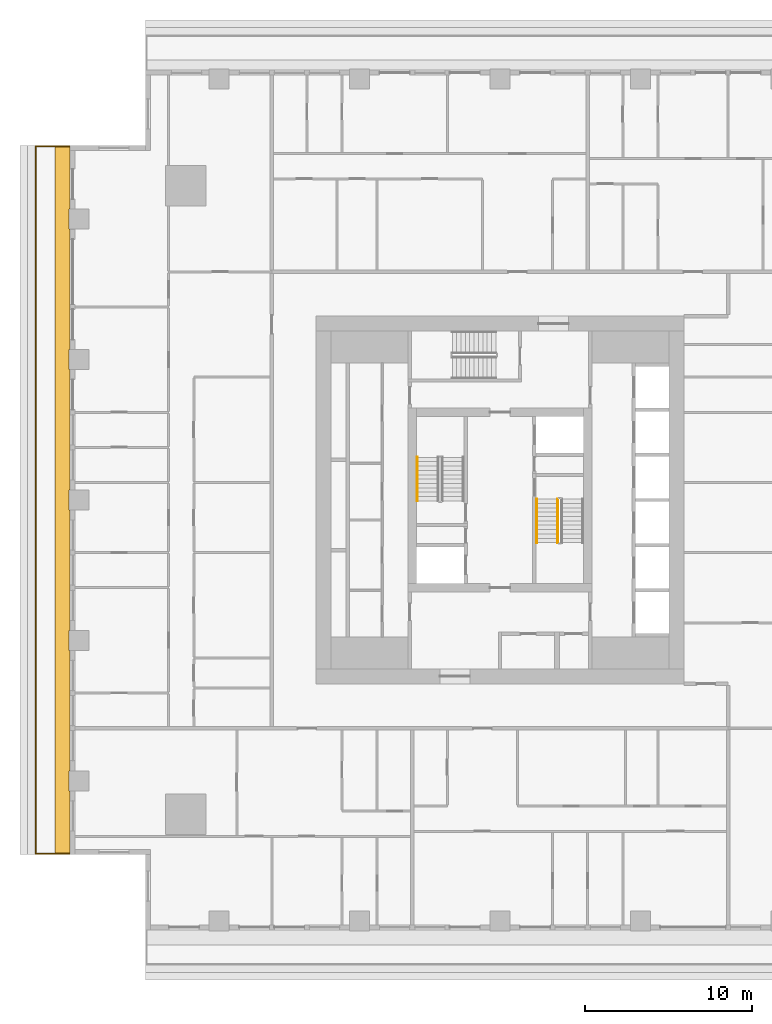
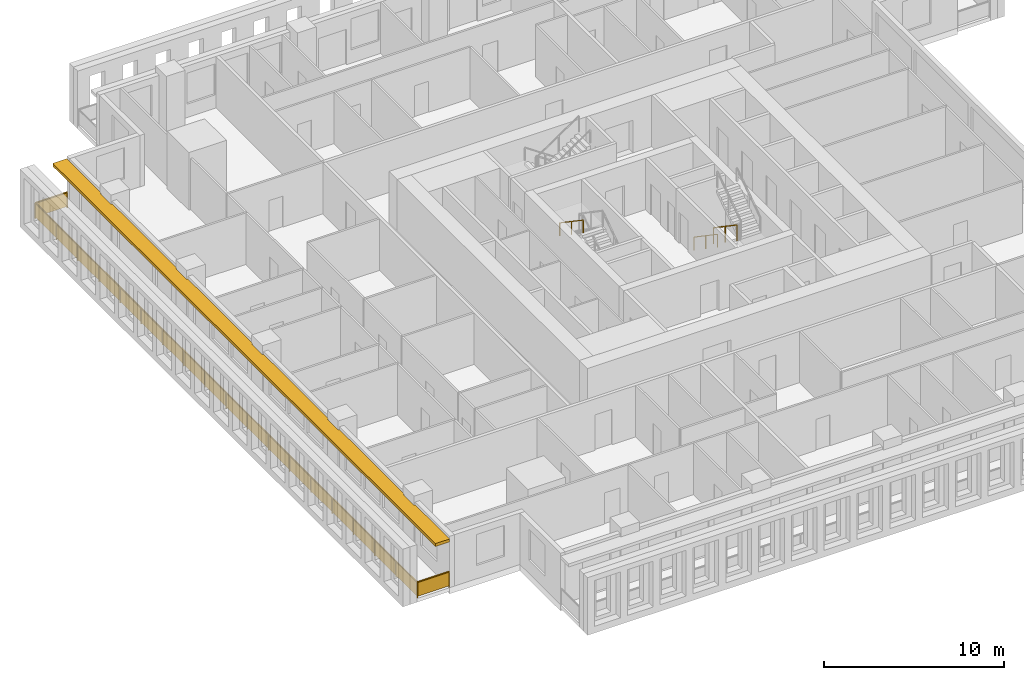
# One storey, part 11 of 15: 4 railings, 1 shading device.
"""IFC4 building model written with IfcOpenShell, lengths in metres."""

from ifc_helpers import new_model, si_unit, direction, frame, origin, origin_2d, place, context, subcontext, project, spatial, polyline, rectangle, outline, extrude, material, layer, layer_set, type_object, element, save


model = new_model("IFC4")

# Units and contexts
model_context = context("Model", 3, precision=1e-05, world=origin(), true_north=direction((0.0, 1.0)))
body_context = subcontext(model_context, "Body", "Model", "MODEL_VIEW")
ifc_project = project(units=[si_unit("LENGTHUNIT", "METRE"), si_unit("AREAUNIT", "SQUARE_METRE"), si_unit("VOLUMEUNIT", "CUBIC_METRE"), si_unit("PLANEANGLEUNIT", "RADIAN"), si_unit("MASSUNIT", "GRAM", prefix="KILO")], contexts=[model_context])

# Site, building, storey
site_placement = place(None, origin())
site = spatial("IfcSite", under=ifc_project, at=site_placement, CompositionType="ELEMENT")
building_placement = place(site_placement, origin())
building = spatial("IfcBuilding", under=site, at=building_placement, Name="Khepri Terraces", CompositionType="ELEMENT")
storey_placement = place(building_placement, frame((0.0, 0.0, 223.5)))
storey = spatial("IfcBuildingStorey", under=building, at=storey_placement, Name="L53", CompositionType="ELEMENT", Elevation=223.5)

# Railings
ifc_material_1 = material(Name="Stainless steel grade 316", Category="steel")
railing_type_1 = type_object("IfcRailingType", Name="GRD-BAL-1100", PredefinedType="GUARDRAIL", material=ifc_material_1)
railing_1_placement = place(storey_placement, frame((-25.719970703125, 21.169921875, 0.0)))
element("IfcRailing", 1, at=railing_1_placement, inside=storey, type_object=railing_type_1, Name="Balcony guard L53 W", PredefinedType="GUARDRAIL", context=body_context, shape_type="SweptSolid", body=[
    extrude(rectangle(XDim=0.050048828125, YDim=0.06005859375, at=origin_2d()), frame((0.0, 0.0, 1.070068359375), z_axis=(-1.0, 0.0, 0.0), x_axis=(0.0, -1.0, 0.0)), (0.0, 0.0, 1.0), 2.050048828125),
    extrude(rectangle(XDim=2.0, YDim=0.011962890625, at=origin_2d()), frame((-1.02490234375, 0.0, 0.10009765625), z_axis=(0.0, 0.0, 1.0), x_axis=(-1.0, 0.0, 0.0)), (0.0, 0.0, 1.0), 0.93994140625),
    extrude(rectangle(XDim=0.050048828125, YDim=0.06005859375, at=origin_2d()), frame((-2.050048828125, 0.0, 1.070068359375), z_axis=(0.0, -1.0, 0.0), x_axis=(1.0, 0.0, 0.0)), (0.0, 0.0, 1.0), 42.33984375),
    extrude(rectangle(XDim=2.30224609375, YDim=0.011962890625, at=origin_2d()), frame((-2.050048828125, -1.176025390625, 0.10009765625), z_axis=(0.0, 0.0, 1.0), x_axis=(0.0, -1.0, 0.0)), (0.0, 0.0, 1.0), 0.93994140625),
    extrude(rectangle(XDim=2.30224609375, YDim=0.011962890625, at=origin_2d()), frame((-2.050048828125, -3.5283203125, 0.10009765625), z_axis=(0.0, 0.0, 1.0), x_axis=(0.0, -1.0, 0.0)), (0.0, 0.0, 1.0), 0.93994140625),
    extrude(rectangle(XDim=2.30224609375, YDim=0.011962890625, at=origin_2d()), frame((-2.050048828125, -5.880615234375, 0.10009765625), z_axis=(0.0, 0.0, 1.0), x_axis=(0.0, -1.0, 0.0)), (0.0, 0.0, 1.0), 0.93994140625),
    extrude(rectangle(XDim=2.30224609375, YDim=0.011962890625, at=origin_2d()), frame((-2.050048828125, -8.232666015625, 0.10009765625), z_axis=(0.0, 0.0, 1.0), x_axis=(0.0, -1.0, 0.0)), (0.0, 0.0, 1.0), 0.93994140625),
    extrude(rectangle(XDim=2.30224609375, YDim=0.011962890625, at=origin_2d()), frame((-2.050048828125, -10.5849609375, 0.10009765625), z_axis=(0.0, 0.0, 1.0), x_axis=(0.0, -1.0, 0.0)), (0.0, 0.0, 1.0), 0.93994140625),
    extrude(rectangle(XDim=2.30224609375, YDim=0.011962890625, at=origin_2d()), frame((-2.050048828125, -12.937255859375, 0.10009765625), z_axis=(0.0, 0.0, 1.0), x_axis=(0.0, -1.0, 0.0)), (0.0, 0.0, 1.0), 0.93994140625),
    extrude(rectangle(XDim=2.30224609375, YDim=0.011962890625, at=origin_2d()), frame((-2.050048828125, -15.289306640625, 0.10009765625), z_axis=(0.0, 0.0, 1.0), x_axis=(0.0, -1.0, 0.0)), (0.0, 0.0, 1.0), 0.93994140625),
    extrude(rectangle(XDim=2.30224609375, YDim=0.011962890625, at=origin_2d()), frame((-2.050048828125, -17.6416015625, 0.10009765625), z_axis=(0.0, 0.0, 1.0), x_axis=(0.0, -1.0, 0.0)), (0.0, 0.0, 1.0), 0.93994140625),
    extrude(rectangle(XDim=2.30224609375, YDim=0.011962890625, at=origin_2d()), frame((-2.050048828125, -19.993896484375, 0.10009765625), z_axis=(0.0, 0.0, 1.0), x_axis=(0.0, -1.0, 0.0)), (0.0, 0.0, 1.0), 0.93994140625),
    extrude(rectangle(XDim=2.30224609375, YDim=0.011962890625, at=origin_2d()), frame((-2.050048828125, -22.345947265625, 0.10009765625), z_axis=(0.0, 0.0, 1.0), x_axis=(0.0, -1.0, 0.0)), (0.0, 0.0, 1.0), 0.93994140625),
    extrude(rectangle(XDim=2.30224609375, YDim=0.011962890625, at=origin_2d()), frame((-2.050048828125, -24.6982421875, 0.10009765625), z_axis=(0.0, 0.0, 1.0), x_axis=(0.0, -1.0, 0.0)), (0.0, 0.0, 1.0), 0.93994140625),
    extrude(rectangle(XDim=2.30224609375, YDim=0.011962890625, at=origin_2d()), frame((-2.050048828125, -27.050537109375, 0.10009765625), z_axis=(0.0, 0.0, 1.0), x_axis=(0.0, -1.0, 0.0)), (0.0, 0.0, 1.0), 0.93994140625),
    extrude(rectangle(XDim=2.30224609375, YDim=0.011962890625, at=origin_2d()), frame((-2.050048828125, -29.402587890625, 0.10009765625), z_axis=(0.0, 0.0, 1.0), x_axis=(0.0, -1.0, 0.0)), (0.0, 0.0, 1.0), 0.93994140625),
    extrude(rectangle(XDim=2.30224609375, YDim=0.011962890625, at=origin_2d()), frame((-2.050048828125, -31.7548828125, 0.10009765625), z_axis=(0.0, 0.0, 1.0), x_axis=(0.0, -1.0, 0.0)), (0.0, 0.0, 1.0), 0.93994140625),
    extrude(rectangle(XDim=2.30224609375, YDim=0.011962890625, at=origin_2d()), frame((-2.050048828125, -34.107177734375, 0.10009765625), z_axis=(0.0, 0.0, 1.0), x_axis=(0.0, -1.0, 0.0)), (0.0, 0.0, 1.0), 0.93994140625),
    extrude(rectangle(XDim=2.30224609375, YDim=0.011962890625, at=origin_2d()), frame((-2.050048828125, -36.459228515625, 0.10009765625), z_axis=(0.0, 0.0, 1.0), x_axis=(0.0, -1.0, 0.0)), (0.0, 0.0, 1.0), 0.93994140625),
    extrude(rectangle(XDim=2.30224609375, YDim=0.011962890625, at=origin_2d()), frame((-2.050048828125, -38.8115234375, 0.10009765625), z_axis=(0.0, 0.0, 1.0), x_axis=(0.0, -1.0, 0.0)), (0.0, 0.0, 1.0), 0.93994140625),
    extrude(rectangle(XDim=2.30224609375, YDim=0.011962890625, at=origin_2d()), frame((-2.050048828125, -41.163818359375, 0.10009765625), z_axis=(0.0, 0.0, 1.0), x_axis=(0.0, -1.0, 0.0)), (0.0, 0.0, 1.0), 0.93994140625),
    extrude(rectangle(XDim=0.050048828125, YDim=0.06005859375, at=origin_2d()), frame((-2.050048828125, -42.33984375, 1.070068359375), z_axis=(1.0, 0.0, 0.0), x_axis=(0.0, 1.0, 0.0)), (0.0, 0.0, 1.0), 2.050048828125),
    extrude(rectangle(XDim=2.0, YDim=0.011962890625, at=origin_2d()), frame((-1.02490234375, -42.33984375, 0.10009765625), z_axis=(0.0, 0.0, 1.0), x_axis=(1.0, 0.0, 0.0)), (0.0, 0.0, 1.0), 0.93994140625),
    extrude(rectangle(XDim=0.050048828125, YDim=0.050048828125, at=origin_2d()), origin(), (0.0, 0.0, 1.0), 1.0400390625),
    extrude(rectangle(XDim=0.050048828125, YDim=0.050048828125, at=origin_2d()), frame((-2.050048828125, 0.0, 0.0)), (0.0, 0.0, 1.0), 1.0400390625),
    extrude(rectangle(XDim=0.050048828125, YDim=0.050048828125, at=origin_2d()), frame((-2.050048828125, -2.352294921875, 0.0)), (0.0, 0.0, 1.0), 1.0400390625),
    extrude(rectangle(XDim=0.050048828125, YDim=0.050048828125, at=origin_2d()), frame((-2.050048828125, -4.704345703125, 0.0)), (0.0, 0.0, 1.0), 1.0400390625),
    extrude(rectangle(XDim=0.050048828125, YDim=0.050048828125, at=origin_2d()), frame((-2.050048828125, -7.056640625, 0.0)), (0.0, 0.0, 1.0), 1.0400390625),
    extrude(rectangle(XDim=0.050048828125, YDim=0.050048828125, at=origin_2d()), frame((-2.050048828125, -9.408935546875, 0.0)), (0.0, 0.0, 1.0), 1.0400390625),
    extrude(rectangle(XDim=0.050048828125, YDim=0.050048828125, at=origin_2d()), frame((-2.050048828125, -11.760986328125, 0.0)), (0.0, 0.0, 1.0), 1.0400390625),
    extrude(rectangle(XDim=0.050048828125, YDim=0.050048828125, at=origin_2d()), frame((-2.050048828125, -14.11328125, 0.0)), (0.0, 0.0, 1.0), 1.0400390625),
    extrude(rectangle(XDim=0.050048828125, YDim=0.050048828125, at=origin_2d()), frame((-2.050048828125, -16.465576171875, 0.0)), (0.0, 0.0, 1.0), 1.0400390625),
    extrude(rectangle(XDim=0.050048828125, YDim=0.050048828125, at=origin_2d()), frame((-2.050048828125, -18.817626953125, 0.0)), (0.0, 0.0, 1.0), 1.0400390625),
    extrude(rectangle(XDim=0.050048828125, YDim=0.050048828125, at=origin_2d()), frame((-2.050048828125, -21.169921875, 0.0)), (0.0, 0.0, 1.0), 1.0400390625),
    extrude(rectangle(XDim=0.050048828125, YDim=0.050048828125, at=origin_2d()), frame((-2.050048828125, -23.522216796875, 0.0)), (0.0, 0.0, 1.0), 1.0400390625),
    extrude(rectangle(XDim=0.050048828125, YDim=0.050048828125, at=origin_2d()), frame((-2.050048828125, -25.874267578125, 0.0)), (0.0, 0.0, 1.0), 1.0400390625),
    extrude(rectangle(XDim=0.050048828125, YDim=0.050048828125, at=origin_2d()), frame((-2.050048828125, -28.2265625, 0.0)), (0.0, 0.0, 1.0), 1.0400390625),
    extrude(rectangle(XDim=0.050048828125, YDim=0.050048828125, at=origin_2d()), frame((-2.050048828125, -30.578857421875, 0.0)), (0.0, 0.0, 1.0), 1.0400390625),
    extrude(rectangle(XDim=0.050048828125, YDim=0.050048828125, at=origin_2d()), frame((-2.050048828125, -32.930908203125, 0.0)), (0.0, 0.0, 1.0), 1.0400390625),
    extrude(rectangle(XDim=0.050048828125, YDim=0.050048828125, at=origin_2d()), frame((-2.050048828125, -35.283203125, 0.0)), (0.0, 0.0, 1.0), 1.0400390625),
    extrude(rectangle(XDim=0.050048828125, YDim=0.050048828125, at=origin_2d()), frame((-2.050048828125, -37.635498046875, 0.0)), (0.0, 0.0, 1.0), 1.0400390625),
    extrude(rectangle(XDim=0.050048828125, YDim=0.050048828125, at=origin_2d()), frame((-2.050048828125, -39.987548828125, 0.0)), (0.0, 0.0, 1.0), 1.0400390625),
    extrude(rectangle(XDim=0.050048828125, YDim=0.050048828125, at=origin_2d()), frame((-2.050048828125, -42.33984375, 0.0)), (0.0, 0.0, 1.0), 1.0400390625),
    extrude(rectangle(XDim=0.050048828125, YDim=0.050048828125, at=origin_2d()), frame((0.0, -42.33984375, 0.0)), (0.0, 0.0, 1.0), 1.0400390625),
])
ifc_material_2 = material(Name="Stainless steel 316", Category="steel")
railing_type_2 = type_object("IfcRailingType", Name="RL-CORE-GUARD", PredefinedType="GUARDRAIL", material=ifc_material_2)
railing_2_placement = place(storey_placement, frame((3.449951171875, 0.050048828125, 0.17724609375)))
element("IfcRailing", 2, at=railing_2_placement, inside=storey, type_object=railing_type_2, Name="L53 ST-2 stair guard 1", PredefinedType="GUARDRAIL", context=body_context, shape_type="SweptSolid", body=[
    extrude(rectangle(XDim=0.050048828125, YDim=0.06005859375, at=origin_2d()), frame((0.0, 0.0, 1.070068359375), z_axis=(0.0, -0.826240473404, 0.563317565952), x_axis=(1.0, 0.0, 0.0)), (0.0, 0.0, 1.0), 3.14697265625),
    extrude(rectangle(XDim=0.050048828125, YDim=0.050048828125, at=origin_2d()), origin(), (0.0, 0.0, 1.0), 1.0400390625),
    extrude(rectangle(XDim=0.050048828125, YDim=0.050048828125, at=origin_2d()), frame((0.0, -1.300048828125, 0.88623046875)), (0.0, 0.0, 1.0), 1.0400390625),
    extrude(rectangle(XDim=0.050048828125, YDim=0.050048828125, at=origin_2d()), frame((0.0, -2.60009765625, 1.772705078125)), (0.0, 0.0, 1.0), 1.0400390625),
])
railing_type_3 = type_object("IfcRailingType", Name="RL-CORE-HANDRAIL", PredefinedType="HANDRAIL", material=ifc_material_2)
for number, where, name in (
    (3, (-4.949951171875, 2.550048828125, 2.127197265625), "L53 ST-1 stair handrail 2"),
    (4, (2.199951171875, 0.050048828125, 0.17724609375), "L53 ST-2 stair handrail 1"),
):
    element("IfcRailing", number, at=place(storey_placement, frame(where)), inside=storey, type_object=railing_type_3, Name=name, PredefinedType="HANDRAIL", context=body_context, shape_type="SweptSolid", body=[
        extrude(rectangle(XDim=0.050048828125, YDim=0.050048828125, at=origin_2d()), frame((0.0, 0.0, 0.875), z_axis=(0.0, -0.826240473404, 0.563317565952), x_axis=(1.0, 0.0, 0.0)), (0.0, 0.0, 1.0), 3.14697265625),
        extrude(rectangle(XDim=0.050048828125, YDim=0.050048828125, at=origin_2d()), origin(), (0.0, 0.0, 1.0), 0.849853515625),
        extrude(rectangle(XDim=0.050048828125, YDim=0.050048828125, at=origin_2d()), frame((0.0, -1.300048828125, 0.88623046875)), (0.0, 0.0, 1.0), 0.849853515625),
        extrude(rectangle(XDim=0.050048828125, YDim=0.050048828125, at=origin_2d()), frame((0.0, -2.60009765625, 1.772705078125)), (0.0, 0.0, 1.0), 0.849853515625),
    ])

# Shading device
ifc_material_3 = material(Name="Precast concrete C50/60 warm stone", Category="masonry")
ifc_layer = layer(ifc_material_3, 0.199951171875, Name="Precast concrete C50/60 warm stone", Category="masonry")
ifc_layer_set = layer_set([ifc_layer], Name="Precast concrete C50/60 warm stone")
shading_device_type = type_object("IfcShadingDeviceType", Name="SSH-BAND-STONE-200", PredefinedType="USERDEFINED", material=ifc_layer_set)
shading_device_placement = place(storey_placement, frame((0.0, 0.0, 3.10009765625)))
element("IfcShadingDevice", 5, at=shading_device_placement, inside=storey, type_object=shading_device_type, Name="Sunshade band L53 W", ObjectType="SUNSHADE", PredefinedType="USERDEFINED", context=body_context, shape_type="SweptSolid", body=[
    extrude(outline(polyline([(-25.719970703125, 17.39990234375), (-25.719970703125, 21.219970703125), (-26.6201171875, 21.219970703125), (-26.6201171875, -21.219970703125), (-25.719970703125, -21.219970703125), (-25.719970703125, -17.39990234375), (-25.800048828125, -17.39990234375), (-25.800048828125, -16.199951171875), (-25.719970703125, -16.199951171875), (-25.719970703125, -9.0), (-25.800048828125, -9.0), (-25.800048828125, -7.800048828125), (-25.719970703125, -7.800048828125), (-25.719970703125, -0.60009765625), (-25.800048828125, -0.60009765625), (-25.800048828125, 0.60009765625), (-25.719970703125, 0.60009765625), (-25.719970703125, 7.800048828125), (-25.800048828125, 7.800048828125), (-25.800048828125, 9.0), (-25.719970703125, 9.0), (-25.719970703125, 16.199951171875), (-25.800048828125, 16.199951171875), (-25.800048828125, 17.39990234375), (-25.719970703125, 17.39990234375)])), origin(), (0.0, 0.0, 1.0), 0.199951171875),
])

save(model, "model.ifc")
